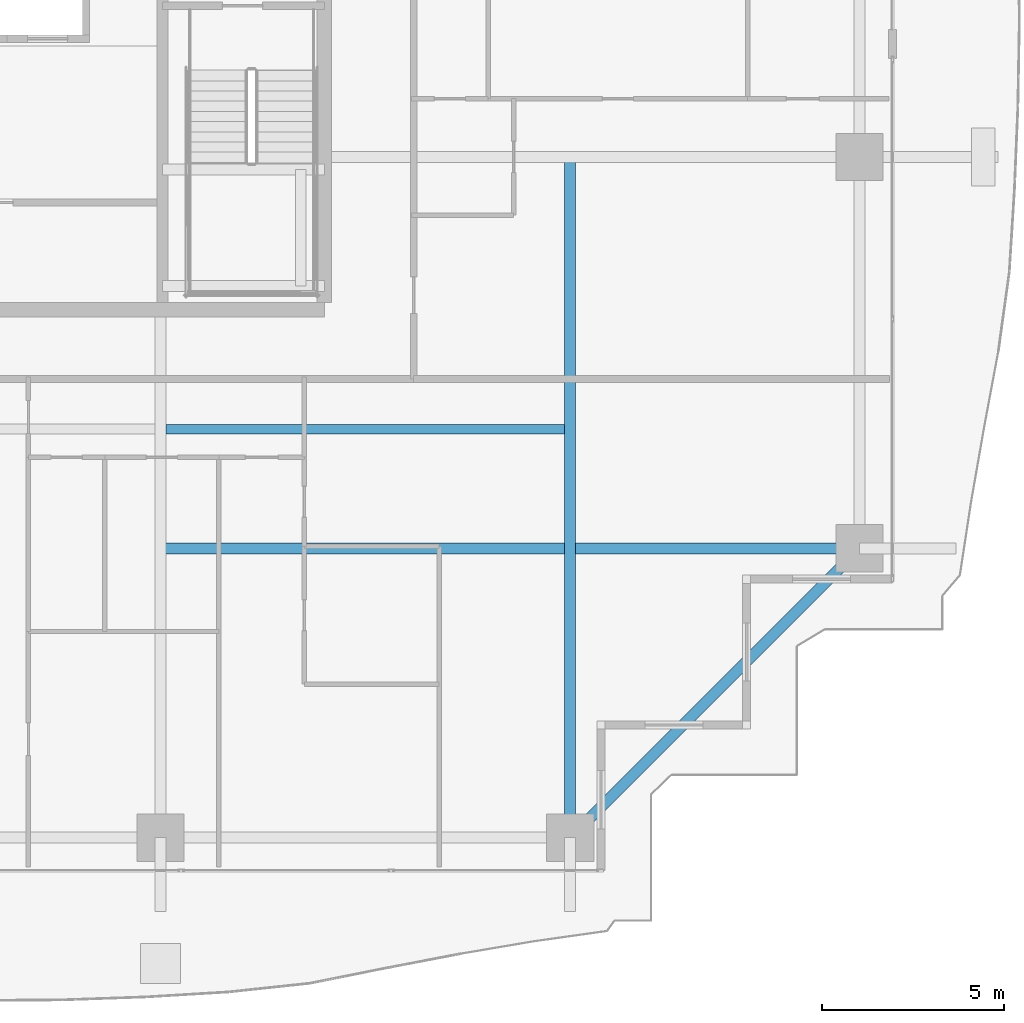
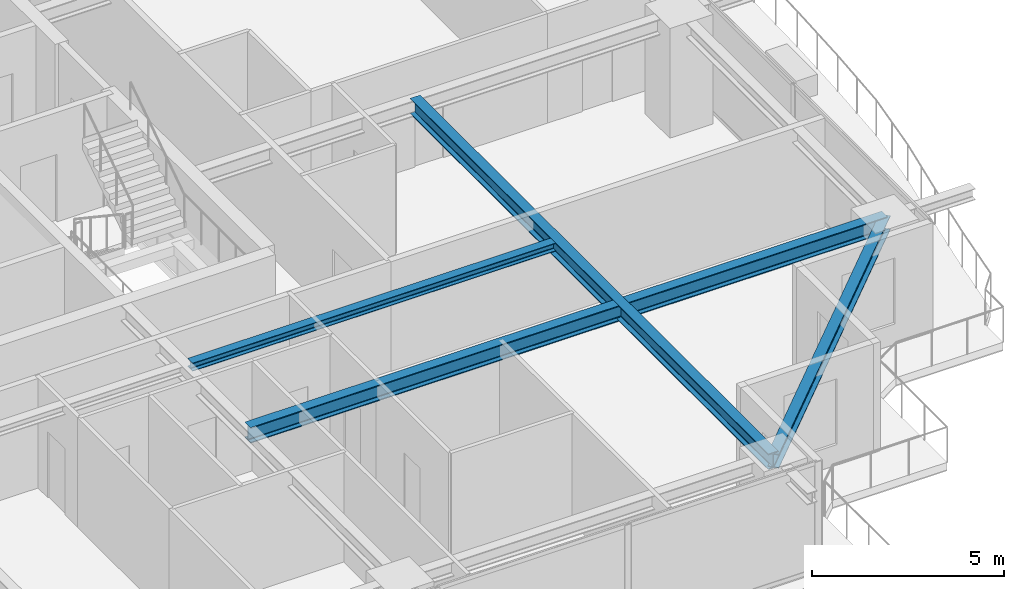
# One storey, part 11 of 36: 4 beams.
"""IFC4 building model written with IfcOpenShell, lengths in metres."""

import ifcopenshell
import ifcopenshell.guid

model = None  # the IFC model being written
_history = None  # IfcOwnerHistory: only IFC2X3 demands one
_inside = {}  # id of a spatial element -> (the spatial element, [elements in it])
_under = {}  # id of a project, library or spatial element -> (it, [spatial elements below it])
_declared = {}  # id of a project -> (the project, [libraries it declares])
_typed = {}  # id of a type object -> (the type object, [elements of that type])
_made_of = {}  # id of a material, layer set ... -> (it, [elements and type objects made of it])


def new_model(schema):
    """Start an empty IFC model of exactly this schema.

    Asked for "IFC4X3", IfcOpenShell would pick the latest addendum, in which some entities
    have other attributes; the version numbers below select the first issue.
    IFC2X3 requires an IfcOwnerHistory on every rooted entity: one is made here for all.
    """
    global model, _history
    if schema == "IFC4X3":
        model = ifcopenshell.file(schema_version=(4, 3, 0, 0))
    else:
        model = ifcopenshell.file(schema=schema)
    _inside.clear()
    _under.clear()
    _declared.clear()
    _typed.clear()
    _made_of.clear()
    _history = None
    if model.schema == "IFC2X3":
        org = make("IfcOrganization", Name="unknown")
        user = make(
            "IfcPersonAndOrganization",
            ThePerson=make("IfcPerson", FamilyName="unknown"),
            TheOrganization=org,
        )
        app = make(
            "IfcApplication",
            ApplicationDeveloper=org,
            Version="unknown",
            ApplicationFullName="unknown",
            ApplicationIdentifier="unknown",
        )
        _history = make(
            "IfcOwnerHistory",
            OwningUser=user,
            OwningApplication=app,
            ChangeAction="ADDED",
            CreationDate=0,
        )
    return model


def make(cls, **values):
    """One entity of the class cls with the attributes given. An attribute that is None is left unset."""
    return model.create_entity(
        cls, **{name: value for name, value in values.items() if value is not None}
    )


def rooted(cls, **values):
    """An entity with a GlobalId (a new one), such as an element, a storey or a relation."""
    return make(cls, GlobalId=ifcopenshell.guid.new(), OwnerHistory=_history, **values)


def si_unit(unit_type, name, prefix=None):
    """IfcSIUnit, for example si_unit("LENGTHUNIT", "METRE", prefix="MILLI")."""
    return make("IfcSIUnit", UnitType=unit_type, Prefix=prefix, Name=name)


def assignment(units):
    """IfcUnitAssignment: the units of a project."""
    return None if units is None else make("IfcUnitAssignment", Units=units)


def point(xyz):
    """IfcCartesianPoint."""
    return None if xyz is None else make("IfcCartesianPoint", Coordinates=xyz)


def direction(xyz):
    """IfcDirection."""
    return None if xyz is None else make("IfcDirection", DirectionRatios=xyz)


def frame(location, z_axis=None, x_axis=None):
    """IfcAxis2Placement3D, a coordinate frame: its origin and axes. An axis left out is left unset."""
    return make(
        "IfcAxis2Placement3D",
        Location=point(location),
        Axis=direction(z_axis),
        RefDirection=direction(x_axis),
    )


def frame_2d(location, x_axis=None):
    """IfcAxis2Placement2D, a coordinate frame in the plane: its origin and x axis."""
    return make(
        "IfcAxis2Placement2D", Location=point(location), RefDirection=direction(x_axis)
    )


def origin():
    """The frame at (0, 0, 0) with its axes left unset."""
    return frame((0.0, 0.0, 0.0))


def origin_2d():
    """The frame at (0, 0) in the plane with its x axis left unset."""
    return frame_2d((0.0, 0.0))


def place(relative_to, where):
    """IfcLocalPlacement: puts the frame where relative to a parent placement (None: the world)."""
    return make(
        "IfcLocalPlacement", PlacementRelTo=relative_to, RelativePlacement=where
    )


def context(
    kind, dimensions, precision=None, world=None, true_north=None, identifier=None
):
    """IfcGeometricRepresentationContext, for example the 3D "Model" context."""
    return make(
        "IfcGeometricRepresentationContext",
        ContextIdentifier=identifier,
        ContextType=kind,
        CoordinateSpaceDimension=dimensions,
        Precision=precision,
        WorldCoordinateSystem=world,
        TrueNorth=true_north,
    )


def subcontext(parent, identifier, kind, view, scale=None):
    """IfcGeometricRepresentationSubContext, for example "Body" below "Model"."""
    return make(
        "IfcGeometricRepresentationSubContext",
        ContextIdentifier=identifier,
        ContextType=kind,
        ParentContext=parent,
        TargetScale=scale,
        TargetView=view,
    )


def project(units=None, contexts=None):
    """IfcProject with its units and contexts."""
    return rooted(
        "IfcProject",
        Name="project",
        RepresentationContexts=contexts,
        UnitsInContext=assignment(units),
    )


def spatial(cls, under=None, at=None, **own):
    """A site, building, storey or space (cls), placed at a placement, below another one or the project."""
    s = rooted(cls, ObjectPlacement=at, **own)
    if under is not None:
        _under.setdefault(under.id(), (under, []))[1].append(s)
    return s


def profile(cls, at=None, kind="AREA", **sizes):
    """A parametric profile (cls). Its sizes go by their IFC names, for example OverallWidth=200.0."""
    return make(cls, ProfileType=kind, Position=at, **sizes)


def i_section(**sizes):
    """IfcIShapeProfileDef."""
    return profile("IfcIShapeProfileDef", **sizes)


def extrude(swept, where, along, depth):
    """IfcExtrudedAreaSolid: the profile swept, set in the frame where, extruded along a direction by depth."""
    return make(
        "IfcExtrudedAreaSolid",
        SweptArea=swept,
        Position=where,
        ExtrudedDirection=direction(along),
        Depth=depth,
    )


def shape(context_of_items, identifier, shape_type, items):
    """IfcShapeRepresentation: the items that make up one representation, for example the "Body"."""
    return make(
        "IfcShapeRepresentation",
        ContextOfItems=context_of_items,
        RepresentationIdentifier=identifier,
        RepresentationType=shape_type,
        Items=items,
    )


def source(mapping_origin, context_of_items, identifier, shape_type, items):
    """IfcRepresentationMap: a shape defined once, which mapped items show again and again."""
    return make(
        "IfcRepresentationMap",
        MappingOrigin=mapping_origin,
        MappedRepresentation=shape(context_of_items, identifier, shape_type, items),
    )


def transform(
    local_origin,
    x_axis=None,
    y_axis=None,
    z_axis=None,
    scale=None,
    scale2=None,
    scale3=None,
    uniform=True,
):
    """IfcCartesianTransformationOperator3D, or its non-uniform kind. x_axis, y_axis, z_axis: its Axis1, 2, 3."""
    if uniform:
        return make(
            "IfcCartesianTransformationOperator3D",
            Axis1=direction(x_axis),
            Axis2=direction(y_axis),
            LocalOrigin=point(local_origin),
            Scale=scale,
            Axis3=direction(z_axis),
        )
    return make(
        "IfcCartesianTransformationOperator3DnonUniform",
        Axis1=direction(x_axis),
        Axis2=direction(y_axis),
        LocalOrigin=point(local_origin),
        Scale=scale,
        Axis3=direction(z_axis),
        Scale2=scale2,
        Scale3=scale3,
    )


def mapped(mapping_source, mapping_target):
    """IfcMappedItem: shows the shape of a source again, moved by a transform."""
    return make(
        "IfcMappedItem", MappingSource=mapping_source, MappingTarget=mapping_target
    )


def material(Name=None, Category=None):
    """IfcMaterial."""
    return make("IfcMaterial", Name=Name, Category=Category)


def material_profile(
    of_material, cross_section, Name=None, Category=None, Priority=None
):
    """IfcMaterialProfile: a cross section and its material."""
    return make(
        "IfcMaterialProfile",
        Name=Name,
        Material=of_material,
        Profile=cross_section,
        Priority=Priority,
        Category=Category,
    )


def profile_set(profiles, Name=None, composite=None):
    """IfcMaterialProfileSet."""
    return make(
        "IfcMaterialProfileSet",
        Name=Name,
        MaterialProfiles=profiles,
        CompositeProfile=composite,
    )


def made_of(thing, what):
    """Note that an element or type object is made of a material, layer set ...; save() writes the relation."""
    if what is not None:
        _made_of.setdefault(what.id(), (what, []))[1].append(thing)
    return thing


def type_object(cls, material=None, **own):
    """A type object (cls), such as IfcWallType, which elements share."""
    return made_of(rooted(cls, **own), material)


def element(
    cls,
    number,
    at=None,
    inside=None,
    cuts=None,
    type_object=None,
    material=None,
    context=None,
    identifier="Body",
    shape_type=None,
    held_by="IfcProductDefinitionShape",
    body=None,
    shapes=None,
    **own,
):
    """One element of the class cls, such as IfcWall. Its Tag is "e" and its number.

    at: its placement. inside: the storey or other place that contains it. cuts: it is an
    opening in that element (IfcRelVoidsElement). A single representation is given by context,
    identifier, shape_type and body (its items); several are given by shapes. held_by: the class
    of the entity that holds the representations. save() writes the other relations.
    """
    e = rooted(cls, Tag="e%d" % number, ObjectPlacement=at, **own)
    if body is not None:
        shapes = [shape(context, identifier, shape_type, body)]
    if shapes is not None:
        e.Representation = make(held_by, Representations=shapes)
    if inside is not None:
        _inside.setdefault(inside.id(), (inside, []))[1].append(e)
    if cuts is not None:
        rooted(
            "IfcRelVoidsElement", RelatingBuildingElement=cuts, RelatedOpeningElement=e
        )
    if type_object is not None:
        _typed.setdefault(type_object.id(), (type_object, []))[1].append(e)
    return made_of(e, material)


def aggregate(whole, parts):
    """IfcRelAggregates: a whole, such as a stair, and the parts it consists of."""
    return rooted("IfcRelAggregates", RelatingObject=whole, RelatedObjects=parts)


def save(model, path):
    """Write the relations noted so far, then the file.

    IfcRelAggregates (storeys below a building ...), IfcRelContainedInSpatialStructure (elements
    in a storey), IfcRelDefinesByType, IfcRelAssociatesMaterial and IfcRelDeclares: one each for
    every whole, place, type object, material and project.
    """
    for whole, parts in _under.values():
        aggregate(whole, parts)
    for where, things in _inside.values():
        rooted(
            "IfcRelContainedInSpatialStructure",
            RelatedElements=things,
            RelatingStructure=where,
        )
    for kind, things in _typed.values():
        rooted("IfcRelDefinesByType", RelatedObjects=things, RelatingType=kind)
    for what, things in _made_of.values():
        rooted("IfcRelAssociatesMaterial", RelatedObjects=things, RelatingMaterial=what)
    for by, libraries in _declared.values():
        rooted("IfcRelDeclares", RelatingContext=by, RelatedDefinitions=libraries)
    model.write(path)


model = new_model("IFC4")

# Units and contexts
model_context = context("Model", 3, precision=1e-05, world=origin(), true_north=direction((0.0, 1.0)))
body_context = subcontext(model_context, "Body", "Model", "MODEL_VIEW")
ifc_project = project(units=[si_unit("LENGTHUNIT", "METRE"), si_unit("AREAUNIT", "SQUARE_METRE"), si_unit("VOLUMEUNIT", "CUBIC_METRE"), si_unit("PLANEANGLEUNIT", "RADIAN"), si_unit("MASSUNIT", "GRAM", prefix="KILO")], contexts=[model_context])

# Site, building, storey
site_placement = place(None, origin())
site = spatial("IfcSite", under=ifc_project, at=site_placement, CompositionType="ELEMENT")
building_placement = place(site_placement, origin())
building = spatial("IfcBuilding", under=site, at=building_placement, Name="Serunith Strait Residences", CompositionType="ELEMENT")
storey_placement = place(building_placement, frame((0.0, 0.0, 146.39990234375)))
storey = spatial("IfcBuildingStorey", under=building, at=storey_placement, Name="L36", CompositionType="ELEMENT", Elevation=146.39990234375)

# Beams
ifc_material = material(Name="Steel S355J2", Category="steel")
ifc_material_profile_1 = material_profile(ifc_material, i_section(OverallWidth=0.300048828125, OverallDepth=0.5, WebThickness=0.014404296875, FlangeThickness=0.028076171875, FilletRadius=0.027099609375, at=origin_2d()), Name="HEB 500")
ifc_profile_set_1 = profile_set([ifc_material_profile_1], Name="Steel S355J2")
beam_type_1 = type_object("IfcBeamType", Name="BM-HEB500", PredefinedType="BEAM", material=ifc_profile_set_1)
shared_shape_1 = source(origin(), body_context, "Body", "SweptSolid", [
    extrude(i_section(OverallWidth=0.300048828125, OverallDepth=0.5, WebThickness=0.014404296875, FlangeThickness=0.028076171875, FilletRadius=0.027099609375, at=origin_2d()), origin(), (0.0, 0.0, 1.0), 18.699951171875),
])
beam_1_placement = place(storey_placement, frame((48.14990234375, 21.0, 3.237060546875), z_axis=(0.0, -1.0, 0.0), x_axis=(1.0, 0.0, 0.0)))
element("IfcBeam", 1, at=beam_1_placement, inside=storey, type_object=beam_type_1, Name="L36 Orthogonal Corner Girder TC-S4", PredefinedType="BEAM", context=body_context, shape_type="MappedRepresentation", body=[
    mapped(shared_shape_1, transform((0.0, 0.0, 0.0), scale=1.0)),
])
shared_shape_2 = source(origin(), body_context, "Body", "SweptSolid", [
    extrude(i_section(OverallWidth=0.300048828125, OverallDepth=0.5, WebThickness=0.014404296875, FlangeThickness=0.028076171875, FilletRadius=0.027099609375, at=origin_2d()), origin(), (0.0, 0.0, 1.0), 19.2001953125),
])
beam_2_placement = place(storey_placement, frame((36.89990234375, 10.25, 3.237060546875), z_axis=(1.0, 0.0, 0.0), x_axis=(0.0, 1.0, 0.0)))
element("IfcBeam", 2, at=beam_2_placement, inside=storey, type_object=beam_type_1, Name="L36 Orthogonal Corner Girder TC-E1", PredefinedType="BEAM", context=body_context, shape_type="MappedRepresentation", body=[
    mapped(shared_shape_2, transform((0.0, 0.0, 0.0), scale=1.0)),
])
ifc_material_profile_2 = material_profile(ifc_material, i_section(OverallWidth=0.300048828125, OverallDepth=0.449951171875, WebThickness=0.013916015625, FlangeThickness=0.02587890625, FilletRadius=0.027099609375, at=origin_2d()), Name="HEB 450")
ifc_profile_set_2 = profile_set([ifc_material_profile_2], Name="Steel S355J2")
beam_type_2 = type_object("IfcBeamType", Name="BM-HEB450", PredefinedType="BEAM", material=ifc_profile_set_2)
shared_shape_3 = source(origin(), body_context, "Body", "SweptSolid", [
    extrude(i_section(OverallWidth=0.300048828125, OverallDepth=0.449951171875, WebThickness=0.013916015625, FlangeThickness=0.02587890625, FilletRadius=0.027099609375, at=origin_2d()), origin(), (0.0, 0.0, 1.0), 11.2431640625),
])
beam_3_placement = place(storey_placement, frame((48.14990234375, 2.300048828125, 3.232177734375), z_axis=(0.707117638455, 0.707095923751, 0.0), x_axis=(-0.707095923751, 0.707117638455, 0.0)))
element("IfcBeam", 3, at=beam_3_placement, inside=storey, type_object=beam_type_2, Name="L36 Perimeter Ring Beam 04", PredefinedType="BEAM", context=body_context, shape_type="MappedRepresentation", body=[
    mapped(shared_shape_3, transform((0.0, 0.0, 0.0), scale=1.0)),
])
ifc_material_profile_3 = material_profile(ifc_material, i_section(OverallWidth=0.260009765625, OverallDepth=0.260009765625, WebThickness=0.010009765625, FlangeThickness=0.017578125, FilletRadius=0.02392578125, at=origin_2d()), Name="HEB 260")
ifc_profile_set_3 = profile_set([ifc_material_profile_3], Name="Steel S355J2")
beam_type_3 = type_object("IfcBeamType", Name="BM-HEB260", PredefinedType="JOIST", material=ifc_profile_set_3)
shared_shape_4 = source(origin(), body_context, "Body", "SweptSolid", [
    extrude(i_section(OverallWidth=0.260009765625, OverallDepth=0.260009765625, WebThickness=0.010009765625, FlangeThickness=0.017578125, FilletRadius=0.02392578125, at=origin_2d()), origin(), (0.0, 0.0, 1.0), 10.949951171875),
])
beam_4_placement = place(storey_placement, frame((37.050048828125, 13.52490234375, 3.357177734375), z_axis=(1.0, 0.0, 0.0), x_axis=(0.0, 1.0, 0.0)))
element("IfcBeam", 4, at=beam_4_placement, inside=storey, type_object=beam_type_3, Name="L36 Composite Floor Joist 03", PredefinedType="JOIST", context=body_context, shape_type="MappedRepresentation", body=[
    mapped(shared_shape_4, transform((0.0, 0.0, 0.0), scale=1.0)),
])

save(model, "model.ifc")
